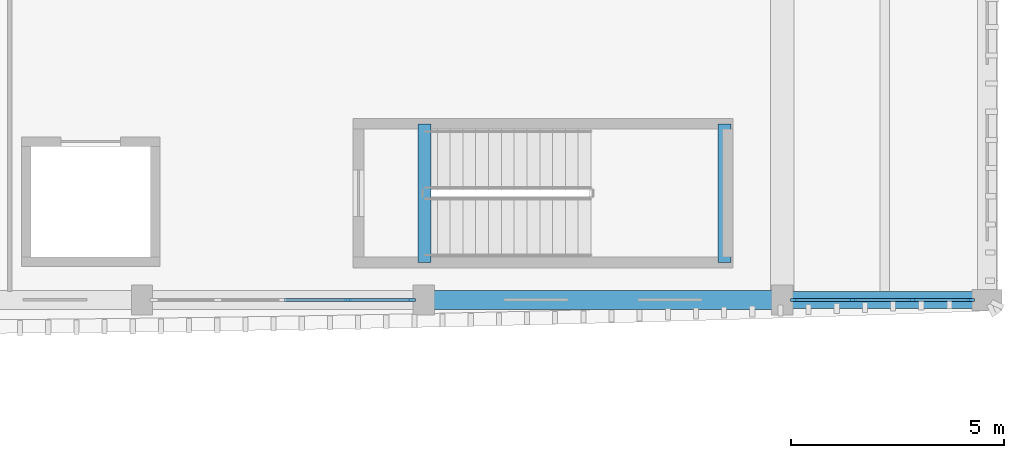
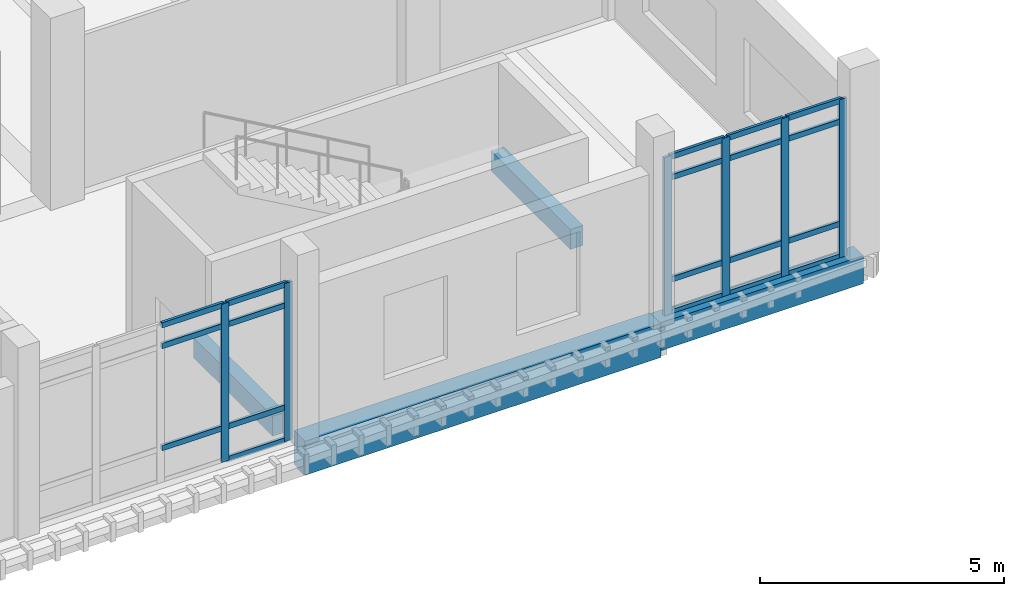
# One storey, part 59 of 125: 25 members, 4 beams, 2 elements without a shape of their own.
"""IFC4 building model written with IfcOpenShell, lengths in metres."""

import ifcopenshell
import ifcopenshell.guid

model = None  # the IFC model being written
_history = None  # IfcOwnerHistory: only IFC2X3 demands one
_inside = {}  # id of a spatial element -> (the spatial element, [elements in it])
_under = {}  # id of a project, library or spatial element -> (it, [spatial elements below it])
_declared = {}  # id of a project -> (the project, [libraries it declares])
_typed = {}  # id of a type object -> (the type object, [elements of that type])
_made_of = {}  # id of a material, layer set ... -> (it, [elements and type objects made of it])


def new_model(schema):
    """Start an empty IFC model of exactly this schema.

    Asked for "IFC4X3", IfcOpenShell would pick the latest addendum, in which some entities
    have other attributes; the version numbers below select the first issue.
    IFC2X3 requires an IfcOwnerHistory on every rooted entity: one is made here for all.
    """
    global model, _history
    if schema == "IFC4X3":
        model = ifcopenshell.file(schema_version=(4, 3, 0, 0))
    else:
        model = ifcopenshell.file(schema=schema)
    _inside.clear()
    _under.clear()
    _declared.clear()
    _typed.clear()
    _made_of.clear()
    _history = None
    if model.schema == "IFC2X3":
        org = make("IfcOrganization", Name="unknown")
        user = make(
            "IfcPersonAndOrganization",
            ThePerson=make("IfcPerson", FamilyName="unknown"),
            TheOrganization=org,
        )
        app = make(
            "IfcApplication",
            ApplicationDeveloper=org,
            Version="unknown",
            ApplicationFullName="unknown",
            ApplicationIdentifier="unknown",
        )
        _history = make(
            "IfcOwnerHistory",
            OwningUser=user,
            OwningApplication=app,
            ChangeAction="ADDED",
            CreationDate=0,
        )
    return model


def make(cls, **values):
    """One entity of the class cls with the attributes given. An attribute that is None is left unset."""
    return model.create_entity(
        cls, **{name: value for name, value in values.items() if value is not None}
    )


def rooted(cls, **values):
    """An entity with a GlobalId (a new one), such as an element, a storey or a relation."""
    return make(cls, GlobalId=ifcopenshell.guid.new(), OwnerHistory=_history, **values)


def si_unit(unit_type, name, prefix=None):
    """IfcSIUnit, for example si_unit("LENGTHUNIT", "METRE", prefix="MILLI")."""
    return make("IfcSIUnit", UnitType=unit_type, Prefix=prefix, Name=name)


def assignment(units):
    """IfcUnitAssignment: the units of a project."""
    return None if units is None else make("IfcUnitAssignment", Units=units)


def point(xyz):
    """IfcCartesianPoint."""
    return None if xyz is None else make("IfcCartesianPoint", Coordinates=xyz)


def direction(xyz):
    """IfcDirection."""
    return None if xyz is None else make("IfcDirection", DirectionRatios=xyz)


def frame(location, z_axis=None, x_axis=None):
    """IfcAxis2Placement3D, a coordinate frame: its origin and axes. An axis left out is left unset."""
    return make(
        "IfcAxis2Placement3D",
        Location=point(location),
        Axis=direction(z_axis),
        RefDirection=direction(x_axis),
    )


def frame_2d(location, x_axis=None):
    """IfcAxis2Placement2D, a coordinate frame in the plane: its origin and x axis."""
    return make(
        "IfcAxis2Placement2D", Location=point(location), RefDirection=direction(x_axis)
    )


def origin():
    """The frame at (0, 0, 0) with its axes left unset."""
    return frame((0.0, 0.0, 0.0))


def origin_2d():
    """The frame at (0, 0) in the plane with its x axis left unset."""
    return frame_2d((0.0, 0.0))


def place(relative_to, where):
    """IfcLocalPlacement: puts the frame where relative to a parent placement (None: the world)."""
    return make(
        "IfcLocalPlacement", PlacementRelTo=relative_to, RelativePlacement=where
    )


def context(
    kind, dimensions, precision=None, world=None, true_north=None, identifier=None
):
    """IfcGeometricRepresentationContext, for example the 3D "Model" context."""
    return make(
        "IfcGeometricRepresentationContext",
        ContextIdentifier=identifier,
        ContextType=kind,
        CoordinateSpaceDimension=dimensions,
        Precision=precision,
        WorldCoordinateSystem=world,
        TrueNorth=true_north,
    )


def subcontext(parent, identifier, kind, view, scale=None):
    """IfcGeometricRepresentationSubContext, for example "Body" below "Model"."""
    return make(
        "IfcGeometricRepresentationSubContext",
        ContextIdentifier=identifier,
        ContextType=kind,
        ParentContext=parent,
        TargetScale=scale,
        TargetView=view,
    )


def project(units=None, contexts=None):
    """IfcProject with its units and contexts."""
    return rooted(
        "IfcProject",
        Name="project",
        RepresentationContexts=contexts,
        UnitsInContext=assignment(units),
    )


def spatial(cls, under=None, at=None, **own):
    """A site, building, storey or space (cls), placed at a placement, below another one or the project."""
    s = rooted(cls, ObjectPlacement=at, **own)
    if under is not None:
        _under.setdefault(under.id(), (under, []))[1].append(s)
    return s


def profile(cls, at=None, kind="AREA", **sizes):
    """A parametric profile (cls). Its sizes go by their IFC names, for example OverallWidth=200.0."""
    return make(cls, ProfileType=kind, Position=at, **sizes)


def rectangle(**sizes):
    """IfcRectangleProfileDef."""
    return profile("IfcRectangleProfileDef", **sizes)


def extrude(swept, where, along, depth):
    """IfcExtrudedAreaSolid: the profile swept, set in the frame where, extruded along a direction by depth."""
    return make(
        "IfcExtrudedAreaSolid",
        SweptArea=swept,
        Position=where,
        ExtrudedDirection=direction(along),
        Depth=depth,
    )


def shape(context_of_items, identifier, shape_type, items):
    """IfcShapeRepresentation: the items that make up one representation, for example the "Body"."""
    return make(
        "IfcShapeRepresentation",
        ContextOfItems=context_of_items,
        RepresentationIdentifier=identifier,
        RepresentationType=shape_type,
        Items=items,
    )


def material(Name=None, Category=None):
    """IfcMaterial."""
    return make("IfcMaterial", Name=Name, Category=Category)


def material_profile(
    of_material, cross_section, Name=None, Category=None, Priority=None
):
    """IfcMaterialProfile: a cross section and its material."""
    return make(
        "IfcMaterialProfile",
        Name=Name,
        Material=of_material,
        Profile=cross_section,
        Priority=Priority,
        Category=Category,
    )


def profile_set(profiles, Name=None, composite=None):
    """IfcMaterialProfileSet."""
    return make(
        "IfcMaterialProfileSet",
        Name=Name,
        MaterialProfiles=profiles,
        CompositeProfile=composite,
    )


def made_of(thing, what):
    """Note that an element or type object is made of a material, layer set ...; save() writes the relation."""
    if what is not None:
        _made_of.setdefault(what.id(), (what, []))[1].append(thing)
    return thing


def type_object(cls, material=None, **own):
    """A type object (cls), such as IfcWallType, which elements share."""
    return made_of(rooted(cls, **own), material)


def element(
    cls,
    number,
    at=None,
    inside=None,
    cuts=None,
    type_object=None,
    material=None,
    context=None,
    identifier="Body",
    shape_type=None,
    held_by="IfcProductDefinitionShape",
    body=None,
    shapes=None,
    **own,
):
    """One element of the class cls, such as IfcWall. Its Tag is "e" and its number.

    at: its placement. inside: the storey or other place that contains it. cuts: it is an
    opening in that element (IfcRelVoidsElement). A single representation is given by context,
    identifier, shape_type and body (its items); several are given by shapes. held_by: the class
    of the entity that holds the representations. save() writes the other relations.
    """
    e = rooted(cls, Tag="e%d" % number, ObjectPlacement=at, **own)
    if body is not None:
        shapes = [shape(context, identifier, shape_type, body)]
    if shapes is not None:
        e.Representation = make(held_by, Representations=shapes)
    if inside is not None:
        _inside.setdefault(inside.id(), (inside, []))[1].append(e)
    if cuts is not None:
        rooted(
            "IfcRelVoidsElement", RelatingBuildingElement=cuts, RelatedOpeningElement=e
        )
    if type_object is not None:
        _typed.setdefault(type_object.id(), (type_object, []))[1].append(e)
    return made_of(e, material)


def aggregate(whole, parts):
    """IfcRelAggregates: a whole, such as a stair, and the parts it consists of."""
    return rooted("IfcRelAggregates", RelatingObject=whole, RelatedObjects=parts)


def save(model, path):
    """Write the relations noted so far, then the file.

    IfcRelAggregates (storeys below a building ...), IfcRelContainedInSpatialStructure (elements
    in a storey), IfcRelDefinesByType, IfcRelAssociatesMaterial and IfcRelDeclares: one each for
    every whole, place, type object, material and project.
    """
    for whole, parts in _under.values():
        aggregate(whole, parts)
    for where, things in _inside.values():
        rooted(
            "IfcRelContainedInSpatialStructure",
            RelatedElements=things,
            RelatingStructure=where,
        )
    for kind, things in _typed.values():
        rooted("IfcRelDefinesByType", RelatedObjects=things, RelatingType=kind)
    for what, things in _made_of.values():
        rooted("IfcRelAssociatesMaterial", RelatedObjects=things, RelatingMaterial=what)
    for by, libraries in _declared.values():
        rooted("IfcRelDeclares", RelatingContext=by, RelatedDefinitions=libraries)
    model.write(path)


model = new_model("IFC4")

# Units and contexts
model_context = context("Model", 3, precision=1e-05, world=origin(), true_north=direction((0.0, 1.0)))
body_context = subcontext(model_context, "Body", "Model", "MODEL_VIEW")
ifc_project = project(units=[si_unit("LENGTHUNIT", "METRE"), si_unit("AREAUNIT", "SQUARE_METRE"), si_unit("VOLUMEUNIT", "CUBIC_METRE"), si_unit("PLANEANGLEUNIT", "RADIAN"), si_unit("MASSUNIT", "GRAM", prefix="KILO")], contexts=[model_context])

# Site, building, storey
site_placement = place(None, origin())
site = spatial("IfcSite", under=ifc_project, at=site_placement, CompositionType="ELEMENT")
building_placement = place(site_placement, origin())
building = spatial("IfcBuilding", under=site, at=building_placement, Name="Dornvale Research Institute", CompositionType="ELEMENT")
storey_placement = place(building_placement, frame((0.0, 0.0, 5.39990234375)))
storey = spatial("IfcBuildingStorey", under=building, at=storey_placement, Name="L01", CompositionType="ELEMENT", Elevation=5.39990234375)

# Beams
ifc_material_1 = material(Name="Concrete f'c 45 MPa (C35/45)", Category="concrete")
ifc_material_profile_1 = material_profile(ifc_material_1, rectangle(XDim=0.300048828125, YDim=0.5, at=origin_2d()), Name="RC 300x500")
ifc_profile_set_1 = profile_set([ifc_material_profile_1], Name="Concrete f'c 45 MPa (C35/45)")
beam_type_1 = type_object("IfcBeamType", Name="Beam_RC300x500_Trim", PredefinedType="BEAM", material=ifc_profile_set_1)
for number, where, z_axis, x_axis, name in (
    (1, (165.02001953125, 93.280029296875, -0.25), (0.0, 1.0, 0.0), (-1.0, 0.0, 0.0), "L01 ST-4 stair landing trimmer beam #63"),
    (2, (172.050048828125, 93.280029296875, 1.9501953125), (0.0, 1.0, 0.0), (-1.0, 0.0, 0.0), "L01 ST-4 half-landing support beam #72"),
):
    element("IfcBeam", number, at=place(storey_placement, frame(where, z_axis=z_axis, x_axis=x_axis)), inside=storey, type_object=beam_type_1, Name=name, PredefinedType="BEAM", context=body_context, shape_type="SweptSolid", body=[
        extrude(rectangle(XDim=0.300048828125, YDim=0.5, at=origin_2d()), origin(), (0.0, 0.0, 1.0), 3.239990234375),
    ])

# Curtain wall, members
ifc_material_2 = material(Name="Low-E Argon Double Insulating Glazing Unit", Category="glass")
curtain_wall_type_1 = type_object("IfcCurtainWallType", Name="UnitisedCurtainWall_V4_4200x3950", PredefinedType="USERDEFINED", material=ifc_material_2)
curtain_wall_1_placement = place(storey_placement, origin())
curtain_wall_1 = element("IfcCurtainWall", 3, at=curtain_wall_1_placement, inside=storey, type_object=curtain_wall_type_1, Name="L01 V4 unitised curtain wall CW-13 #77", ObjectType="UNITISED CURTAIN WALL", PredefinedType="USERDEFINED")
ifc_material_3 = material(Name="Anodized Aluminum AA 6063-T6 Thermally Broken Frame", Category="aluminium")
ifc_material_profile_2 = material_profile(ifc_material_3, rectangle(XDim=0.06494140625, YDim=0.179931640625, at=origin_2d()), Name="ALU MULLION 65x180")
ifc_profile_set_2 = profile_set([ifc_material_profile_2], Name="Anodized Aluminum AA 6063-T6 Thermally Broken Frame")
member_type_1 = type_object("IfcMemberType", Name="Mullion_CW_65x180", PredefinedType="MULLION", material=ifc_profile_set_2)
member_1_placement = place(storey_placement, frame((177.8173828125, 92.39990234375, 0.0), z_axis=(0.0, 0.0, 1.0), x_axis=(0.0, -1.0, 0.0)))
member_1 = element("IfcMember", 4, at=member_1_placement, type_object=member_type_1, Name="CW-13 mullion 1", PredefinedType="MULLION", context=body_context, shape_type="SweptSolid", body=[
    extrude(rectangle(XDim=0.06494140625, YDim=0.179931640625, at=origin_2d()), origin(), (0.0, 0.0, 1.0), 3.9501953125),
])
member_2_placement = place(storey_placement, frame((176.449951171875, 92.39990234375, 0.0), z_axis=(0.0, 0.0, 1.0), x_axis=(0.0, -1.0, 0.0)))
member_2 = element("IfcMember", 5, at=member_2_placement, type_object=member_type_1, Name="CW-13 mullion 2", PredefinedType="MULLION", context=body_context, shape_type="SweptSolid", body=[
    extrude(rectangle(XDim=0.06494140625, YDim=0.179931640625, at=origin_2d()), origin(), (0.0, 0.0, 1.0), 3.9501953125),
])
member_3_placement = place(storey_placement, frame((175.050048828125, 92.39990234375, 0.0), z_axis=(0.0, 0.0, 1.0), x_axis=(0.0, -1.0, 0.0)))
member_3 = element("IfcMember", 6, at=member_3_placement, type_object=member_type_1, Name="CW-13 mullion 3", PredefinedType="MULLION", context=body_context, shape_type="SweptSolid", body=[
    extrude(rectangle(XDim=0.06494140625, YDim=0.179931640625, at=origin_2d()), origin(), (0.0, 0.0, 1.0), 3.9501953125),
])
member_4_placement = place(storey_placement, frame((173.6826171875, 92.39990234375, 0.0), z_axis=(0.0, 0.0, 1.0), x_axis=(0.0, -1.0, 0.0)))
member_4 = element("IfcMember", 7, at=member_4_placement, type_object=member_type_1, Name="CW-13 mullion 4", PredefinedType="MULLION", context=body_context, shape_type="SweptSolid", body=[
    extrude(rectangle(XDim=0.06494140625, YDim=0.179931640625, at=origin_2d()), origin(), (0.0, 0.0, 1.0), 3.9501953125),
])

ifc_material_4 = material(Name="Low-E Argon Double Insulating Glazing Unit", Category="glass")
curtain_wall_type_2 = type_object("IfcCurtainWallType", Name="UnitisedCurtainWall_V4_6100x3950", PredefinedType="USERDEFINED", material=ifc_material_4)
curtain_wall_2_placement = place(storey_placement, origin())
curtain_wall_2 = element("IfcCurtainWall", 8, at=curtain_wall_2_placement, inside=storey, type_object=curtain_wall_type_2, Name="L01 V4 unitised curtain wall CW-11 #78", ObjectType="UNITISED CURTAIN WALL", PredefinedType="USERDEFINED")
member_5_placement = place(storey_placement, frame((164.717529296875, 92.39990234375, 0.0), z_axis=(0.0, 0.0, 1.0), x_axis=(0.0, -1.0, 0.0)))
member_5 = element("IfcMember", 9, at=member_5_placement, type_object=member_type_1, Name="CW-11 mullion 1", PredefinedType="MULLION", context=body_context, shape_type="SweptSolid", body=[
    extrude(rectangle(XDim=0.06494140625, YDim=0.179931640625, at=origin_2d()), origin(), (0.0, 0.0, 1.0), 3.9501953125),
])
member_6_placement = place(storey_placement, frame((163.22509765625, 92.39990234375, 0.0), z_axis=(0.0, 0.0, 1.0), x_axis=(0.0, -1.0, 0.0)))
member_6 = element("IfcMember", 10, at=member_6_placement, type_object=member_type_1, Name="CW-11 mullion 2", PredefinedType="MULLION", context=body_context, shape_type="SweptSolid", body=[
    extrude(rectangle(XDim=0.06494140625, YDim=0.179931640625, at=origin_2d()), origin(), (0.0, 0.0, 1.0), 3.9501953125),
])

# Beams
ifc_material_5 = material(Name="Concrete f'c 45 MPa (C35/45)", Category="concrete")
ifc_material_profile_3 = material_profile(ifc_material_5, rectangle(XDim=0.39990234375, YDim=0.699951171875, at=origin_2d()), Name="RC 400x700")
ifc_profile_set_3 = profile_set([ifc_material_profile_3], Name="Concrete f'c 45 MPa (C35/45)")
beam_type_2 = type_object("IfcBeamType", Name="Spandrel_RC400x700_Ext", PredefinedType="SPANDREL", material=ifc_profile_set_3)
beam_1_placement = place(storey_placement, frame((173.39990234375, 92.39990234375, -0.349853515625), z_axis=(1.0, 0.0, 0.0), x_axis=(0.0, 1.0, 0.0)))
element("IfcBeam", 11, at=beam_1_placement, inside=storey, type_object=beam_type_2, Name="L01 perimeter spandrel #362", PredefinedType="SPANDREL", context=body_context, shape_type="SweptSolid", body=[
    extrude(rectangle(XDim=0.39990234375, YDim=0.699951171875, at=origin_2d()), origin(), (0.0, 0.0, 1.0), 4.800048828125),
])
ifc_material_6 = material(Name="Concrete f'c 45 MPa (C35/45)", Category="concrete")
ifc_material_profile_4 = material_profile(ifc_material_6, rectangle(XDim=0.449951171875, YDim=0.85009765625, at=origin_2d()), Name="RC 450x850")
ifc_profile_set_4 = profile_set([ifc_material_profile_4], Name="Concrete f'c 45 MPa (C35/45)")
beam_type_3 = type_object("IfcBeamType", Name="Spandrel_RC450x850_Ext", PredefinedType="SPANDREL", material=ifc_profile_set_4)
beam_2_placement = place(storey_placement, frame((165.0, 92.39990234375, -0.4248046875), z_axis=(1.0, 0.0, 0.0), x_axis=(0.0, 1.0, 0.0)))
element("IfcBeam", 12, at=beam_2_placement, inside=storey, type_object=beam_type_3, Name="L01 perimeter spandrel #361", PredefinedType="SPANDREL", context=body_context, shape_type="SweptSolid", body=[
    extrude(rectangle(XDim=0.449951171875, YDim=0.85009765625, at=origin_2d()), origin(), (0.0, 0.0, 1.0), 8.39990234375),
])

# Member
ifc_material_7 = material(Name="Anodized Aluminum AA 6063-T6 Thermally Broken Frame", Category="aluminium")
ifc_material_profile_5 = material_profile(ifc_material_7, rectangle(XDim=0.06494140625, YDim=0.135009765625, at=origin_2d()), Name="ALU TRANSOM 65x135")
ifc_profile_set_5 = profile_set([ifc_material_profile_5], Name="Anodized Aluminum AA 6063-T6 Thermally Broken Frame")
member_type_2 = type_object("IfcMemberType", Name="Transom_CW_65x135", PredefinedType="USERDEFINED", material=ifc_profile_set_5)
member_7_placement = place(storey_placement, frame((177.784912109375, 92.39990234375, 0.03271484375), z_axis=(-1.0, 0.0, 0.0), x_axis=(0.0, -1.0, 0.0)))
member_7 = element("IfcMember", 13, at=member_7_placement, type_object=member_type_2, Name="CW-13 transom 1.1", ObjectType="TRANSOM", PredefinedType="USERDEFINED", context=body_context, shape_type="SweptSolid", body=[
    extrude(rectangle(XDim=0.06494140625, YDim=0.135009765625, at=origin_2d()), origin(), (0.0, 0.0, 1.0), 1.302490234375),
])

member_8_placement = place(storey_placement, frame((177.784912109375, 92.39990234375, 0.85009765625), z_axis=(-1.0, 0.0, 0.0), x_axis=(0.0, -1.0, 0.0)))
member_8 = element("IfcMember", 14, at=member_8_placement, type_object=member_type_2, Name="CW-13 transom 1.2", ObjectType="TRANSOM", PredefinedType="USERDEFINED", context=body_context, shape_type="SweptSolid", body=[
    extrude(rectangle(XDim=0.06494140625, YDim=0.135009765625, at=origin_2d()), origin(), (0.0, 0.0, 1.0), 1.302490234375),
])

member_9_placement = place(storey_placement, frame((177.784912109375, 92.39990234375, 3.400146484375), z_axis=(-1.0, 0.0, 0.0), x_axis=(0.0, -1.0, 0.0)))
member_9 = element("IfcMember", 15, at=member_9_placement, type_object=member_type_2, Name="CW-13 transom 1.3", ObjectType="TRANSOM", PredefinedType="USERDEFINED", context=body_context, shape_type="SweptSolid", body=[
    extrude(rectangle(XDim=0.06494140625, YDim=0.135009765625, at=origin_2d()), origin(), (0.0, 0.0, 1.0), 1.302490234375),
])

member_10_placement = place(storey_placement, frame((177.784912109375, 92.39990234375, 3.91748046875), z_axis=(-1.0, 0.0, 0.0), x_axis=(0.0, -1.0, 0.0)))
member_10 = element("IfcMember", 16, at=member_10_placement, type_object=member_type_2, Name="CW-13 transom 1.4", ObjectType="TRANSOM", PredefinedType="USERDEFINED", context=body_context, shape_type="SweptSolid", body=[
    extrude(rectangle(XDim=0.06494140625, YDim=0.135009765625, at=origin_2d()), origin(), (0.0, 0.0, 1.0), 1.302490234375),
])

member_11_placement = place(storey_placement, frame((176.41748046875, 92.39990234375, 0.03271484375), z_axis=(-1.0, 0.0, 0.0), x_axis=(0.0, -1.0, 0.0)))
member_11 = element("IfcMember", 17, at=member_11_placement, type_object=member_type_2, Name="CW-13 transom 2.1", ObjectType="TRANSOM", PredefinedType="USERDEFINED", context=body_context, shape_type="SweptSolid", body=[
    extrude(rectangle(XDim=0.06494140625, YDim=0.135009765625, at=origin_2d()), origin(), (0.0, 0.0, 1.0), 1.3349609375),
])

member_12_placement = place(storey_placement, frame((176.41748046875, 92.39990234375, 0.85009765625), z_axis=(-1.0, 0.0, 0.0), x_axis=(0.0, -1.0, 0.0)))
member_12 = element("IfcMember", 18, at=member_12_placement, type_object=member_type_2, Name="CW-13 transom 2.2", ObjectType="TRANSOM", PredefinedType="USERDEFINED", context=body_context, shape_type="SweptSolid", body=[
    extrude(rectangle(XDim=0.06494140625, YDim=0.135009765625, at=origin_2d()), origin(), (0.0, 0.0, 1.0), 1.3349609375),
])

member_13_placement = place(storey_placement, frame((176.41748046875, 92.39990234375, 3.400146484375), z_axis=(-1.0, 0.0, 0.0), x_axis=(0.0, -1.0, 0.0)))
member_13 = element("IfcMember", 19, at=member_13_placement, type_object=member_type_2, Name="CW-13 transom 2.3", ObjectType="TRANSOM", PredefinedType="USERDEFINED", context=body_context, shape_type="SweptSolid", body=[
    extrude(rectangle(XDim=0.06494140625, YDim=0.135009765625, at=origin_2d()), origin(), (0.0, 0.0, 1.0), 1.3349609375),
])

member_14_placement = place(storey_placement, frame((176.41748046875, 92.39990234375, 3.91748046875), z_axis=(-1.0, 0.0, 0.0), x_axis=(0.0, -1.0, 0.0)))
member_14 = element("IfcMember", 20, at=member_14_placement, type_object=member_type_2, Name="CW-13 transom 2.4", ObjectType="TRANSOM", PredefinedType="USERDEFINED", context=body_context, shape_type="SweptSolid", body=[
    extrude(rectangle(XDim=0.06494140625, YDim=0.135009765625, at=origin_2d()), origin(), (0.0, 0.0, 1.0), 1.3349609375),
])

member_15_placement = place(storey_placement, frame((175.017578125, 92.39990234375, 0.03271484375), z_axis=(-1.0, 0.0, 0.0), x_axis=(0.0, -1.0, 0.0)))
member_15 = element("IfcMember", 21, at=member_15_placement, type_object=member_type_2, Name="CW-13 transom 3.1", ObjectType="TRANSOM", PredefinedType="USERDEFINED", context=body_context, shape_type="SweptSolid", body=[
    extrude(rectangle(XDim=0.06494140625, YDim=0.135009765625, at=origin_2d()), origin(), (0.0, 0.0, 1.0), 1.302490234375),
])

member_16_placement = place(storey_placement, frame((175.017578125, 92.39990234375, 0.85009765625), z_axis=(-1.0, 0.0, 0.0), x_axis=(0.0, -1.0, 0.0)))
member_16 = element("IfcMember", 22, at=member_16_placement, type_object=member_type_2, Name="CW-13 transom 3.2", ObjectType="TRANSOM", PredefinedType="USERDEFINED", context=body_context, shape_type="SweptSolid", body=[
    extrude(rectangle(XDim=0.06494140625, YDim=0.135009765625, at=origin_2d()), origin(), (0.0, 0.0, 1.0), 1.302490234375),
])

member_17_placement = place(storey_placement, frame((175.017578125, 92.39990234375, 3.400146484375), z_axis=(-1.0, 0.0, 0.0), x_axis=(0.0, -1.0, 0.0)))
member_17 = element("IfcMember", 23, at=member_17_placement, type_object=member_type_2, Name="CW-13 transom 3.3", ObjectType="TRANSOM", PredefinedType="USERDEFINED", context=body_context, shape_type="SweptSolid", body=[
    extrude(rectangle(XDim=0.06494140625, YDim=0.135009765625, at=origin_2d()), origin(), (0.0, 0.0, 1.0), 1.302490234375),
])

member_18_placement = place(storey_placement, frame((175.017578125, 92.39990234375, 3.91748046875), z_axis=(-1.0, 0.0, 0.0), x_axis=(0.0, -1.0, 0.0)))
member_18 = element("IfcMember", 24, at=member_18_placement, type_object=member_type_2, Name="CW-13 transom 3.4", ObjectType="TRANSOM", PredefinedType="USERDEFINED", context=body_context, shape_type="SweptSolid", body=[
    extrude(rectangle(XDim=0.06494140625, YDim=0.135009765625, at=origin_2d()), origin(), (0.0, 0.0, 1.0), 1.302490234375),
])

aggregate(curtain_wall_1, [member_1, member_2, member_3, member_4, member_7, member_8, member_9, member_10, member_11, member_12, member_13, member_14, member_15, member_16, member_17, member_18])

member_19_placement = place(storey_placement, frame((164.68505859375, 92.39990234375, 0.03271484375), z_axis=(-1.0, 0.0, 0.0), x_axis=(0.0, -1.0, 0.0)))
member_19 = element("IfcMember", 25, at=member_19_placement, type_object=member_type_2, Name="CW-11 transom 1.1", ObjectType="TRANSOM", PredefinedType="USERDEFINED", context=body_context, shape_type="SweptSolid", body=[
    extrude(rectangle(XDim=0.06494140625, YDim=0.135009765625, at=origin_2d()), origin(), (0.0, 0.0, 1.0), 1.427490234375),
])

member_20_placement = place(storey_placement, frame((164.68505859375, 92.39990234375, 0.85009765625), z_axis=(-1.0, 0.0, 0.0), x_axis=(0.0, -1.0, 0.0)))
member_20 = element("IfcMember", 26, at=member_20_placement, type_object=member_type_2, Name="CW-11 transom 1.2", ObjectType="TRANSOM", PredefinedType="USERDEFINED", context=body_context, shape_type="SweptSolid", body=[
    extrude(rectangle(XDim=0.06494140625, YDim=0.135009765625, at=origin_2d()), origin(), (0.0, 0.0, 1.0), 1.427490234375),
])

member_21_placement = place(storey_placement, frame((164.68505859375, 92.39990234375, 3.400146484375), z_axis=(-1.0, 0.0, 0.0), x_axis=(0.0, -1.0, 0.0)))
member_21 = element("IfcMember", 27, at=member_21_placement, type_object=member_type_2, Name="CW-11 transom 1.3", ObjectType="TRANSOM", PredefinedType="USERDEFINED", context=body_context, shape_type="SweptSolid", body=[
    extrude(rectangle(XDim=0.06494140625, YDim=0.135009765625, at=origin_2d()), origin(), (0.0, 0.0, 1.0), 1.427490234375),
])

member_22_placement = place(storey_placement, frame((164.68505859375, 92.39990234375, 3.91748046875), z_axis=(-1.0, 0.0, 0.0), x_axis=(0.0, -1.0, 0.0)))
member_22 = element("IfcMember", 28, at=member_22_placement, type_object=member_type_2, Name="CW-11 transom 1.4", ObjectType="TRANSOM", PredefinedType="USERDEFINED", context=body_context, shape_type="SweptSolid", body=[
    extrude(rectangle(XDim=0.06494140625, YDim=0.135009765625, at=origin_2d()), origin(), (0.0, 0.0, 1.0), 1.427490234375),
])

member_23_placement = place(storey_placement, frame((163.1923828125, 92.39990234375, 0.85009765625), z_axis=(-1.0, 0.0, 0.0), x_axis=(0.0, -1.0, 0.0)))
member_23 = element("IfcMember", 29, at=member_23_placement, type_object=member_type_2, Name="CW-11 transom 2.2", ObjectType="TRANSOM", PredefinedType="USERDEFINED", context=body_context, shape_type="SweptSolid", body=[
    extrude(rectangle(XDim=0.06494140625, YDim=0.135009765625, at=origin_2d()), origin(), (0.0, 0.0, 1.0), 1.4599609375),
])

member_24_placement = place(storey_placement, frame((163.1923828125, 92.39990234375, 3.400146484375), z_axis=(-1.0, 0.0, 0.0), x_axis=(0.0, -1.0, 0.0)))
member_24 = element("IfcMember", 30, at=member_24_placement, type_object=member_type_2, Name="CW-11 transom 2.3", ObjectType="TRANSOM", PredefinedType="USERDEFINED", context=body_context, shape_type="SweptSolid", body=[
    extrude(rectangle(XDim=0.06494140625, YDim=0.135009765625, at=origin_2d()), origin(), (0.0, 0.0, 1.0), 1.4599609375),
])

member_25_placement = place(storey_placement, frame((163.1923828125, 92.39990234375, 3.91748046875), z_axis=(-1.0, 0.0, 0.0), x_axis=(0.0, -1.0, 0.0)))
member_25 = element("IfcMember", 31, at=member_25_placement, type_object=member_type_2, Name="CW-11 transom 2.4", ObjectType="TRANSOM", PredefinedType="USERDEFINED", context=body_context, shape_type="SweptSolid", body=[
    extrude(rectangle(XDim=0.06494140625, YDim=0.135009765625, at=origin_2d()), origin(), (0.0, 0.0, 1.0), 1.4599609375),
])

aggregate(curtain_wall_2, [member_5, member_6, member_19, member_20, member_21, member_22, member_23, member_24, member_25])

save(model, "model.ifc")
